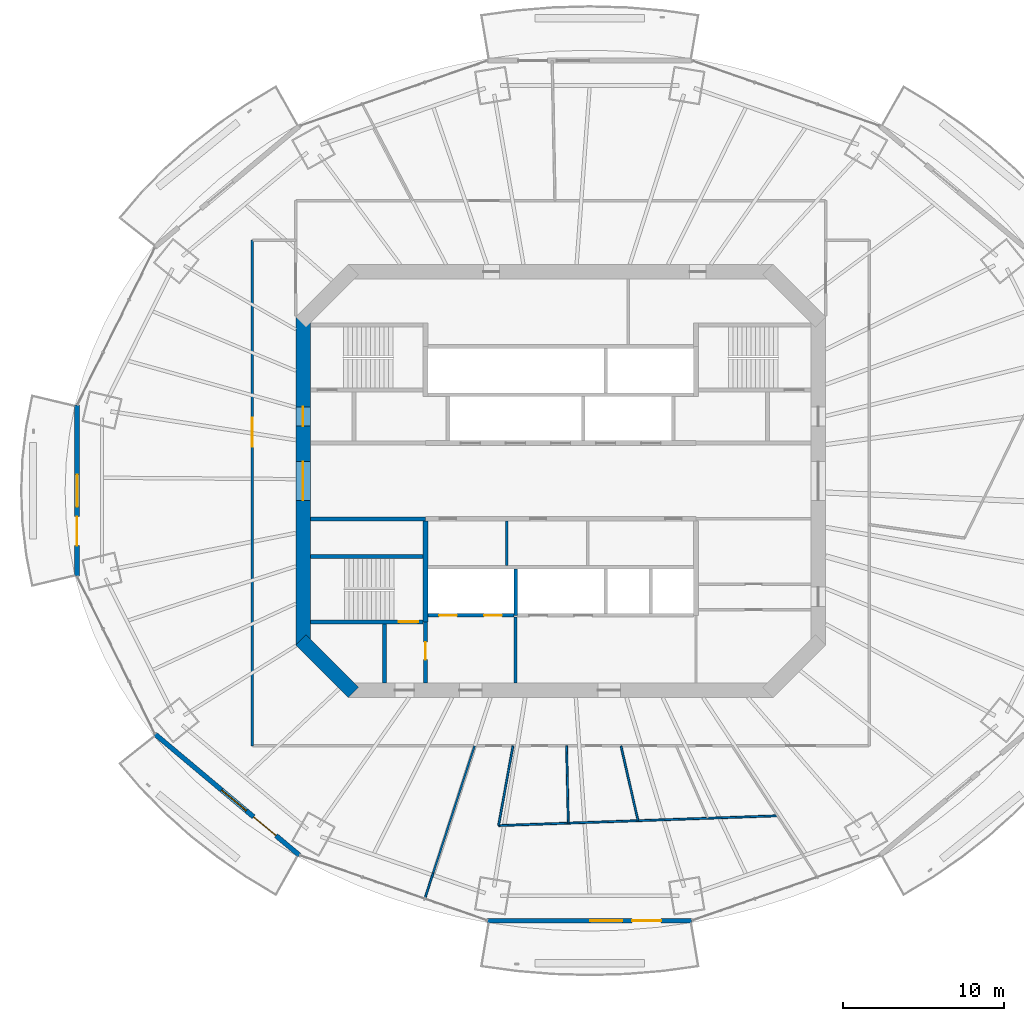
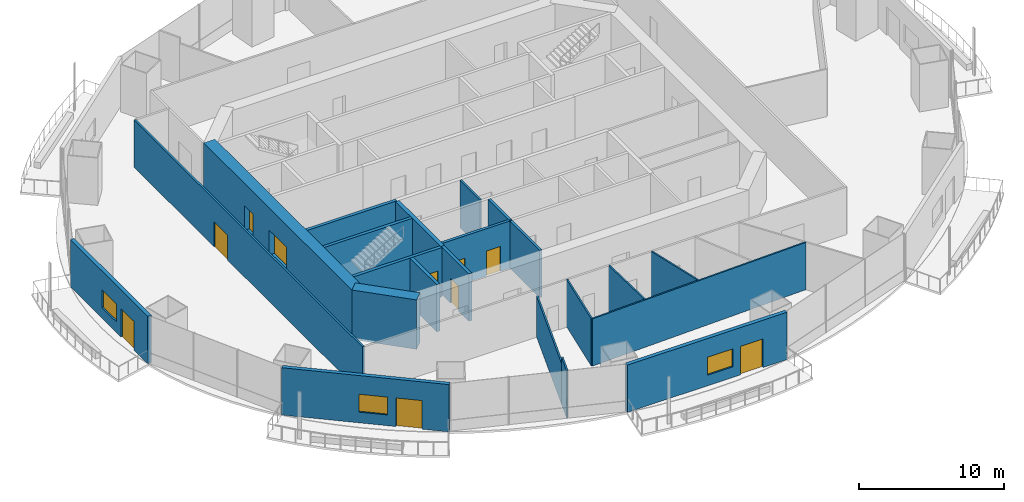
# One storey, part 11 of 20: 22 walls, 10 doors, 3 windows, 13 openings.
"""IFC4 building model written with IfcOpenShell, lengths in metres."""

from ifc_helpers import new_model, si_unit, direction, frame, frame_2d, origin, place, context, subcontext, project, spatial, rectangle, extrude, material, layer, layer_set, type_object, element, fill, save


model = new_model("IFC4")

# Units and contexts
model_context = context("Model", 3, precision=1e-05, world=origin(), true_north=direction((0.0, 1.0)))
body_context = subcontext(model_context, "Body", "Model", "MODEL_VIEW")
ifc_project = project(units=[si_unit("LENGTHUNIT", "METRE"), si_unit("AREAUNIT", "SQUARE_METRE"), si_unit("VOLUMEUNIT", "CUBIC_METRE"), si_unit("PLANEANGLEUNIT", "RADIAN"), si_unit("MASSUNIT", "GRAM", prefix="KILO")], contexts=[model_context])

# Site, building, storey
site_placement = place(None, origin())
site = spatial("IfcSite", under=ifc_project, at=site_placement, CompositionType="ELEMENT")
building_placement = place(site_placement, origin())
building = spatial("IfcBuilding", under=site, at=building_placement, Name="Marenthal Gate Tower", CompositionType="ELEMENT")
storey_placement = place(building_placement, frame((0.0, 0.0, 177.64990234375)))
storey = spatial("IfcBuildingStorey", under=building, at=storey_placement, Name="L38", CompositionType="ELEMENT", Elevation=177.64990234375)

# Wall, openings, doors
ifc_material_1 = material(Name="Concrete 60 MPa", Category="concrete")
ifc_layer_1 = layer(ifc_material_1, 0.89990234375)
ifc_layer_set_1 = layer_set([ifc_layer_1], Name="Core shear wall 900")
wall_type_1 = type_object("IfcWallType", Name="Core shear wall 900", PredefinedType="SHEAR", material=ifc_layer_set_1)
wall_1_placement = place(storey_placement, frame((-16.0, 10.186279296875, -0.179931640625), z_axis=(0.0, 0.0, 1.0), x_axis=(0.0, -1.0, 0.0)))
wall_1 = element("IfcWall", 1, at=wall_1_placement, inside=storey, type_object=wall_type_1, Name="Core wall 06", PredefinedType="SHEAR", context=body_context, shape_type="SweptSolid", body=[
    extrude(rectangle(XDim=20.37255859375, YDim=0.89990234375, at=frame_2d((10.186279296875, 0.0))), origin(), (0.0, 0.0, 1.0), 4.150146484375),
])
opening_1_placement = place(wall_1_placement, frame((8.986328125, 0.0, 0.179931640625)))
opening_1 = element("IfcOpeningElement", 2, at=opening_1_placement, cuts=wall_1, Name="Opening D003.01", PredefinedType="OPENING", context=body_context, shape_type="SweptSolid", body=[
    extrude(rectangle(XDim=2.39990234375, YDim=2.10009765625, at=frame_2d((1.199951171875, 1.050048828125))), frame((0.0, 0.4599609375, 0.0), z_axis=(0.0, -1.0, 0.0), x_axis=(1.0, 0.0, 0.0)), (0.0, 0.0, 1.0), 0.919921875),
])
opening_2_placement = place(wall_1_placement, frame((5.58642578125, 0.0, 0.179931640625)))
opening_2 = element("IfcOpeningElement", 3, at=opening_2_placement, cuts=wall_1, Name="Opening D001.04", PredefinedType="OPENING", context=body_context, shape_type="SweptSolid", body=[
    extrude(rectangle(XDim=1.199951171875, YDim=2.10009765625, at=frame_2d((0.60009765625, 1.050048828125))), frame((0.0, 0.4599609375, 0.0), z_axis=(0.0, -1.0, 0.0), x_axis=(1.0, 0.0, 0.0)), (0.0, 0.0, 1.0), 0.919921875),
])
ifc_material_2 = material(Name="Steel fire door", Category="steel")
door_type_1 = type_object("IfcDoorType", Name="Double fire door FD 45 2400 x 2100", OperationType="DOUBLE_DOOR_SINGLE_SWING", PredefinedType="DOOR", material=ifc_material_2)
door_1_placement = place(opening_1_placement, origin())
door_1 = element("IfcDoor", 4, at=door_1_placement, inside=storey, type_object=door_type_1, Name="Door D003.01", OperationType="DOUBLE_DOOR_SINGLE_SWING", OverallHeight=2.10009765625, OverallWidth=2.39990234375, PredefinedType="DOOR", context=body_context, shape_type="SweptSolid", body=[
    extrude(rectangle(XDim=2.39990234375, YDim=2.10009765625, at=frame_2d((1.199951171875, 1.050048828125))), frame((0.0, 0.02490234375, 0.0), z_axis=(0.0, -1.0, 0.0), x_axis=(1.0, 0.0, 0.0)), (0.0, 0.0, 1.0), 0.050048828125),
])
fill(opening_1, door_1)
ifc_material_3 = material(Name="Steel fire door", Category="steel")
door_type_2 = type_object("IfcDoorType", Name="Fire door FD 90 1200 x 2100", OperationType="NOTDEFINED", PredefinedType="DOOR", material=ifc_material_3)
door_2_placement = place(opening_2_placement, origin())
door_2 = element("IfcDoor", 5, at=door_2_placement, inside=storey, type_object=door_type_2, Name="Door D001.04", OperationType="SINGLE_SWING_RIGHT", OverallHeight=2.10009765625, OverallWidth=1.199951171875, PredefinedType="DOOR", context=body_context, shape_type="SweptSolid", body=[
    extrude(rectangle(XDim=1.199951171875, YDim=2.10009765625, at=frame_2d((0.60009765625, 1.050048828125))), frame((0.0, 0.02490234375, 0.0), z_axis=(0.0, -1.0, 0.0), x_axis=(1.0, 0.0, 0.0)), (0.0, 0.0, 1.0), 0.050048828125),
])
fill(opening_2, door_2)

# Walls
wall_2_placement = place(storey_placement, frame((-16.1318359375, -9.8681640625, -0.179931640625), z_axis=(0.0, 0.0, 1.0), x_axis=(0.707106781187, -0.707106781187, 0.0)))
element("IfcWall", 6, at=wall_2_placement, inside=storey, type_object=wall_type_1, Name="Core wall 07", PredefinedType="SHEAR", context=body_context, shape_type="SweptSolid", body=[
    extrude(rectangle(XDim=4.615478515625, YDim=0.89990234375, at=frame_2d((2.3076171875, 0.0))), origin(), (0.0, 0.0, 1.0), 4.150146484375),
])
ifc_material_4 = material(Name="Gypsum board on steel studs", Category="steel")
ifc_layer_2 = layer(ifc_material_4, 0.199951171875)
ifc_layer_set_2 = layer_set([ifc_layer_2], Name="Fire lobby wall 200")
wall_type_2 = type_object("IfcWallType", Name="Fire lobby wall 200", PredefinedType="PARTITIONING", material=ifc_layer_set_2)
wall_3_placement = place(storey_placement, frame((-2.800048828125, -12.550048828125, 0.0), z_axis=(0.0, 0.0, 1.0), x_axis=(0.0, 1.0, 0.0)))
element("IfcWall", 7, at=wall_3_placement, inside=storey, type_object=wall_type_2, Name="Fire wall 36", PredefinedType="PARTITIONING", context=body_context, shape_type="SweptSolid", body=[
    extrude(rectangle(XDim=4.090087890625, YDim=0.199951171875, at=frame_2d((2.044921875, 0.0))), origin(), (0.0, 0.0, 1.0), 3.97021484375),
])
ifc_material_5 = material(Name="Concrete 50 MPa", Category="concrete")
ifc_layer_3 = layer(ifc_material_5, 0.300048828125)
ifc_layer_set_3 = layer_set([ifc_layer_3], Name="Hoistway shear wall 300")
wall_type_3 = type_object("IfcWallType", Name="Hoistway shear wall 300", PredefinedType="SHEAR", material=ifc_layer_set_3)
wall_4_placement = place(storey_placement, frame((-8.39990234375, -8.75, -0.179931640625), z_axis=(0.0, 0.0, 1.0), x_axis=(0.0, 1.0, 0.0)))
element("IfcWall", 8, at=wall_4_placement, inside=storey, type_object=wall_type_3, Name="Hoistway wall 31", PredefinedType="SHEAR", context=body_context, shape_type="SweptSolid", body=[
    extrude(rectangle(XDim=6.25, YDim=0.300048828125, at=frame_2d((3.125, 0.0))), origin(), (0.0, 0.0, 1.0), 4.150146484375),
])

# Wall, openings, doors
ifc_material_6 = material(Name="Concrete 40 MPa", Category="concrete")
ifc_layer_4 = layer(ifc_material_6, 0.219970703125)
ifc_layer_set_4 = layer_set([ifc_layer_4], Name="Hoistway wall 220")
wall_type_4 = type_object("IfcWallType", Name="Hoistway wall 220", PredefinedType="STANDARD", material=ifc_layer_set_4)
wall_5_placement = place(storey_placement, frame((-8.25, -8.35009765625, 0.0), z_axis=(0.0, 0.0, 1.0), x_axis=(1.0, 0.0, 0.0)))
wall_5 = element("IfcWall", 9, at=wall_5_placement, inside=storey, type_object=wall_type_4, Name="Hoistway wall 10", PredefinedType="STANDARD", context=body_context, shape_type="SweptSolid", body=[
    extrude(rectangle(XDim=5.340087890625, YDim=0.219970703125, at=frame_2d((2.669921875, 0.0))), origin(), (0.0, 0.0, 1.0), 3.97021484375),
])
opening_3_placement = place(wall_5_placement, frame((0.699951171875, 0.0, 0.0)))
opening_3 = element("IfcOpeningElement", 10, at=opening_3_placement, cuts=wall_5, Name="Opening LD-LF1", PredefinedType="OPENING", context=body_context, shape_type="SweptSolid", body=[
    extrude(rectangle(XDim=1.10009765625, YDim=2.10009765625, at=frame_2d((0.550048828125, 1.050048828125))), frame((0.0, 0.1201171875, 0.0), z_axis=(0.0, -1.0, 0.0), x_axis=(1.0, 0.0, 0.0)), (0.0, 0.0, 1.0), 0.239990234375),
])
opening_4_placement = place(wall_5_placement, frame((3.5, 0.0, 0.0)))
opening_4 = element("IfcOpeningElement", 11, at=opening_4_placement, cuts=wall_5, Name="Opening LD-LF2", PredefinedType="OPENING", context=body_context, shape_type="SweptSolid", body=[
    extrude(rectangle(XDim=1.10009765625, YDim=2.10009765625, at=frame_2d((0.550048828125, 1.050048828125))), frame((0.0, 0.1201171875, 0.0), z_axis=(0.0, -1.0, 0.0), x_axis=(1.0, 0.0, 0.0)), (0.0, 0.0, 1.0), 0.239990234375),
])
ifc_material_7 = material(Name="Stainless steel sliding door", Category="steel")
door_type_3 = type_object("IfcDoorType", Name="Lift landing door FD 90 1100 x 2100", OperationType="DOUBLE_DOOR_SLIDING", PredefinedType="DOOR", material=ifc_material_7)
door_3_placement = place(opening_3_placement, origin())
door_3 = element("IfcDoor", 12, at=door_3_placement, inside=storey, type_object=door_type_3, Name="Lift landing door LF1", OperationType="DOUBLE_DOOR_SLIDING", OverallHeight=2.10009765625, OverallWidth=1.10009765625, PredefinedType="DOOR", context=body_context, shape_type="SweptSolid", body=[
    extrude(rectangle(XDim=1.10009765625, YDim=2.10009765625, at=frame_2d((0.550048828125, 1.050048828125))), frame((0.0, 0.02490234375, 0.0), z_axis=(0.0, -1.0, 0.0), x_axis=(1.0, 0.0, 0.0)), (0.0, 0.0, 1.0), 0.050048828125),
])
fill(opening_3, door_3)
door_4_placement = place(opening_4_placement, origin())
door_4 = element("IfcDoor", 13, at=door_4_placement, inside=storey, type_object=door_type_3, Name="Lift landing door LF2", OperationType="DOUBLE_DOOR_SLIDING", OverallHeight=2.10009765625, OverallWidth=1.10009765625, PredefinedType="DOOR", context=body_context, shape_type="SweptSolid", body=[
    extrude(rectangle(XDim=1.10009765625, YDim=2.10009765625, at=frame_2d((0.550048828125, 1.050048828125))), frame((0.0, 0.02490234375, 0.0), z_axis=(0.0, -1.0, 0.0), x_axis=(1.0, 0.0, 0.0)), (0.0, 0.0, 1.0), 0.050048828125),
])
fill(opening_4, door_4)

# Walls
wall_6_placement = place(storey_placement, frame((-2.800048828125, -8.35009765625, 0.0), z_axis=(0.0, 0.0, 1.0), x_axis=(0.0, 1.0, 0.0)))
element("IfcWall", 14, at=wall_6_placement, inside=storey, type_object=wall_type_4, Name="Hoistway wall 37", PredefinedType="STANDARD", context=body_context, shape_type="SweptSolid", body=[
    extrude(rectangle(XDim=2.89013671875, YDim=0.219970703125, at=frame_2d((1.445068359375, 0.0))), origin(), (0.0, 0.0, 1.0), 3.97021484375),
])
ifc_material_8 = material(Name="Gypsum board on steel studs", Category="steel")
ifc_layer_5 = layer(ifc_material_8, 0.1201171875)
ifc_layer_set_5 = layer_set([ifc_layer_5], Name="Partition 120")
wall_type_5 = type_object("IfcWallType", Name="Partition 120", PredefinedType="PARTITIONING", material=ifc_layer_set_5)
wall_7_placement = place(storey_placement, frame((-5.352294921875, -16.449951171875, 0.0), z_axis=(0.0, 0.0, 1.0), x_axis=(-0.309412606948, -0.950927882997, 0.0)))
element("IfcWall", 15, at=wall_7_placement, inside=storey, type_object=wall_type_5, Name="Partition wall 55", PredefinedType="PARTITIONING", context=body_context, shape_type="SweptSolid", body=[
    extrude(rectangle(XDim=8.3173828125, YDim=0.1201171875, at=frame_2d((4.15869140625, 0.0))), origin(), (0.0, 0.0, 1.0), 3.43408203125),
])
wall_8_placement = place(storey_placement, frame((-7.92578125, -24.359130859375, 0.0), z_axis=(0.0, 0.0, 1.0), x_axis=(-0.30927811653, -0.950971632929, 0.0)))
element("IfcWall", 16, at=wall_8_placement, inside=storey, type_object=wall_type_5, Name="Partition wall 71", PredefinedType="PARTITIONING", context=body_context, shape_type="SweptSolid", body=[
    extrude(rectangle(XDim=1.667236328125, YDim=0.1201171875, at=frame_2d((0.83349609375, 0.0))), origin(), (0.0, 0.0, 1.0), 3.97021484375),
])
wall_9_placement = place(storey_placement, frame((-3.859619140625, -21.3984375, 0.0), z_axis=(0.0, 0.0, 1.0), x_axis=(0.999384014625, 0.035094035277, 0.0)))
element("IfcWall", 17, at=wall_9_placement, inside=storey, type_object=wall_type_5, Name="Partition wall 56", PredefinedType="PARTITIONING", context=body_context, shape_type="SweptSolid", body=[
    extrude(rectangle(XDim=17.329345703125, YDim=0.1201171875, at=frame_2d((8.66455078125, 0.0))), origin(), (0.0, 0.0, 1.0), 3.97021484375),
])
wall_10_placement = place(storey_placement, frame((-3.859619140625, -21.3984375, 0.0), z_axis=(0.0, 0.0, 1.0), x_axis=(0.177509467823, 0.98411909281, 0.0)))
element("IfcWall", 18, at=wall_10_placement, inside=storey, type_object=wall_type_5, Name="Partition wall 57", PredefinedType="PARTITIONING", context=body_context, shape_type="SweptSolid", body=[
    extrude(rectangle(XDim=5.0283203125, YDim=0.1201171875, at=frame_2d((2.51416015625, 0.0))), origin(), (0.0, 0.0, 1.0), 3.97021484375),
])
wall_11_placement = place(storey_placement, frame((0.469970703125, -21.24658203125, 0.0), z_axis=(0.0, 0.0, 1.0), x_axis=(-0.022084498944, 0.999756107711, 0.0)))
element("IfcWall", 19, at=wall_11_placement, inside=storey, type_object=wall_type_5, Name="Partition wall 59", PredefinedType="PARTITIONING", context=body_context, shape_type="SweptSolid", body=[
    extrude(rectangle(XDim=4.7978515625, YDim=0.1201171875, at=frame_2d((2.39892578125, 0.0))), origin(), (0.0, 0.0, 1.0), 3.97021484375),
])
wall_12_placement = place(storey_placement, frame((4.7998046875, -21.094482421875, 0.0), z_axis=(0.0, 0.0, 1.0), x_axis=(-0.221882505737, 0.975073409364, 0.0)))
element("IfcWall", 20, at=wall_12_placement, inside=storey, type_object=wall_type_5, Name="Partition wall 60", PredefinedType="PARTITIONING", context=body_context, shape_type="SweptSolid", body=[
    extrude(rectangle(XDim=4.76318359375, YDim=0.1201171875, at=frame_2d((2.381591796875, 0.0))), origin(), (0.0, 0.0, 1.0), 3.97021484375),
])
ifc_material_9 = material(Name="Gypsum board on steel studs", Category="steel")
ifc_layer_6 = layer(ifc_material_9, 0.14990234375)
ifc_layer_set_6 = layer_set([ifc_layer_6], Name="Partition 150")
wall_type_6 = type_object("IfcWallType", Name="Partition 150", PredefinedType="PARTITIONING", material=ifc_layer_set_6)
wall_13_placement = place(storey_placement, frame((-3.360107421875, -5.239990234375, 0.0), z_axis=(0.0, 0.0, 1.0), x_axis=(0.0, 1.0, 0.0)))
element("IfcWall", 21, at=wall_13_placement, inside=storey, type_object=wall_type_6, Name="Partition wall 35", PredefinedType="PARTITIONING", context=body_context, shape_type="SweptSolid", body=[
    extrude(rectangle(XDim=2.739990234375, YDim=0.14990234375, at=frame_2d((1.3701171875, 0.0))), origin(), (0.0, 0.0, 1.0), 3.97021484375),
])

# Wall, opening, door
wall_14_placement = place(storey_placement, frame((-19.14990234375, -16.449951171875, 0.0), z_axis=(0.0, 0.0, 1.0), x_axis=(0.0, 1.0, 0.0)))
wall_14 = element("IfcWall", 22, at=wall_14_placement, inside=storey, type_object=wall_type_6, Name="Partition wall 50", PredefinedType="PARTITIONING", context=body_context, shape_type="SweptSolid", body=[
    extrude(rectangle(XDim=31.40478515625, YDim=0.14990234375, at=frame_2d((15.702392578125, 0.0))), origin(), (0.0, 0.0, 1.0), 3.97021484375),
])
opening_5_placement = place(wall_14_placement, frame((18.58203125, 0.0, 0.0)))
opening_5 = element("IfcOpeningElement", 23, at=opening_5_placement, cuts=wall_14, Name="Opening D014.02", PredefinedType="OPENING", context=body_context, shape_type="SweptSolid", body=[
    extrude(rectangle(XDim=1.800048828125, YDim=2.10009765625, at=frame_2d((0.89990234375, 1.050048828125))), frame((0.0, 0.0849609375, 0.0), z_axis=(0.0, -1.0, 0.0), x_axis=(1.0, 0.0, 0.0)), (0.0, 0.0, 1.0), 0.169921875),
])
ifc_material_10 = material(Name="Timber door", Category="wood")
door_type_4 = type_object("IfcDoorType", Name="Double door 1800 x 2100", OperationType="DOUBLE_DOOR_SINGLE_SWING", PredefinedType="DOOR", material=ifc_material_10)
door_5_placement = place(opening_5_placement, origin())
door_5 = element("IfcDoor", 24, at=door_5_placement, inside=storey, type_object=door_type_4, Name="Door D014.02", OperationType="DOUBLE_DOOR_SINGLE_SWING", OverallHeight=2.10009765625, OverallWidth=1.800048828125, PredefinedType="DOOR", context=body_context, shape_type="SweptSolid", body=[
    extrude(rectangle(XDim=1.800048828125, YDim=2.10009765625, at=frame_2d((0.89990234375, 1.050048828125))), frame((0.0, 0.02490234375, 0.0), z_axis=(0.0, -1.0, 0.0), x_axis=(1.0, 0.0, 0.0)), (0.0, 0.0, 1.0), 0.050048828125),
])
fill(opening_5, door_5)

# Walls
ifc_material_11 = material(Name="Concrete 40 MPa", Category="concrete")
ifc_layer_7 = layer(ifc_material_11, 0.25)
ifc_layer_set_7 = layer_set([ifc_layer_7], Name="Stair enclosure wall 250")
wall_type_7 = type_object("IfcWallType", Name="Stair enclosure wall 250", PredefinedType="STANDARD", material=ifc_layer_set_7)
wall_15_placement = place(storey_placement, frame((-15.550048828125, -2.35009765625, 0.0), z_axis=(0.0, 0.0, 1.0), x_axis=(1.0, 0.0, 0.0)))
element("IfcWall", 25, at=wall_15_placement, inside=storey, type_object=wall_type_7, Name="Stair wall 16", PredefinedType="STANDARD", context=body_context, shape_type="SweptSolid", body=[
    extrude(rectangle(XDim=7.150146484375, YDim=0.25, at=frame_2d((3.5751953125, 0.0))), origin(), (0.0, 0.0, 1.0), 3.97021484375),
])
wall_16_placement = place(storey_placement, frame((-10.949951171875, -12.550048828125, 0.0), z_axis=(0.0, 0.0, 1.0), x_axis=(0.0, 1.0, 0.0)))
element("IfcWall", 26, at=wall_16_placement, inside=storey, type_object=wall_type_7, Name="Stair wall 29", PredefinedType="STANDARD", context=body_context, shape_type="SweptSolid", body=[
    extrude(rectangle(XDim=3.675048828125, YDim=0.25, at=frame_2d((1.83740234375, 0.0))), origin(), (0.0, 0.0, 1.0), 3.97021484375),
])

# Wall, opening, door
wall_17_placement = place(storey_placement, frame((-8.39990234375, -12.550048828125, 0.0), z_axis=(0.0, 0.0, 1.0), x_axis=(0.0, 1.0, 0.0)))
wall_17 = element("IfcWall", 27, at=wall_17_placement, inside=storey, type_object=wall_type_7, Name="Stair wall 30", PredefinedType="STANDARD", context=body_context, shape_type="SweptSolid", body=[
    extrude(rectangle(XDim=3.800048828125, YDim=0.25, at=frame_2d((1.89990234375, 0.0))), origin(), (0.0, 0.0, 1.0), 3.97021484375),
])
opening_6_placement = place(wall_17_placement, frame((1.449951171875, 0.0, 0.0)))
opening_6 = element("IfcOpeningElement", 28, at=opening_6_placement, cuts=wall_17, Name="Opening D002.01", PredefinedType="OPENING", context=body_context, shape_type="SweptSolid", body=[
    extrude(rectangle(XDim=1.10009765625, YDim=2.10009765625, at=frame_2d((0.550048828125, 1.050048828125))), frame((0.0, 0.135009765625, 0.0), z_axis=(0.0, -1.0, 0.0), x_axis=(1.0, 0.0, 0.0)), (0.0, 0.0, 1.0), 0.27001953125),
])
ifc_material_12 = material(Name="Steel fire door", Category="steel")
door_type_5 = type_object("IfcDoorType", Name="Fire door FD 90 1100 x 2100", OperationType="NOTDEFINED", PredefinedType="DOOR", material=ifc_material_12)
door_6_placement = place(opening_6_placement, origin())
door_6 = element("IfcDoor", 29, at=door_6_placement, inside=storey, type_object=door_type_5, Name="Door D002.01", OperationType="SINGLE_SWING_RIGHT", OverallHeight=2.10009765625, OverallWidth=1.10009765625, PredefinedType="DOOR", context=body_context, shape_type="SweptSolid", body=[
    extrude(rectangle(XDim=1.10009765625, YDim=2.10009765625, at=frame_2d((0.550048828125, 1.050048828125))), frame((0.0, 0.02490234375, 0.0), z_axis=(0.0, -1.0, 0.0), x_axis=(1.0, 0.0, 0.0)), (0.0, 0.0, 1.0), 0.050048828125),
])
fill(opening_6, door_6)

ifc_material_13 = material(Name="Concrete 50 MPa", Category="concrete")
ifc_layer_8 = layer(ifc_material_13, 0.25)
ifc_layer_set_8 = layer_set([ifc_layer_8], Name="Stair shear wall 250")
wall_type_8 = type_object("IfcWallType", Name="Stair shear wall 250", PredefinedType="SHEAR", material=ifc_layer_set_8)
wall_18_placement = place(storey_placement, frame((-15.550048828125, -8.75, -0.179931640625), z_axis=(0.0, 0.0, 1.0), x_axis=(1.0, 0.0, 0.0)))
wall_18 = element("IfcWall", 30, at=wall_18_placement, inside=storey, type_object=wall_type_8, Name="Stair wall 09", PredefinedType="SHEAR", context=body_context, shape_type="SweptSolid", body=[
    extrude(rectangle(XDim=7.0, YDim=0.25, at=frame_2d((3.5, 0.0))), origin(), (0.0, 0.0, 1.0), 4.150146484375),
])
opening_7_placement = place(wall_18_placement, frame((5.5, 0.0, 0.179931640625)))
opening_7 = element("IfcOpeningElement", 31, at=opening_7_placement, cuts=wall_18, Name="Opening D001.03", PredefinedType="OPENING", context=body_context, shape_type="SweptSolid", body=[
    extrude(rectangle(XDim=1.199951171875, YDim=2.10009765625, at=frame_2d((0.60009765625, 1.050048828125))), frame((0.0, 0.135009765625, 0.0), z_axis=(0.0, -1.0, 0.0), x_axis=(1.0, 0.0, 0.0)), (0.0, 0.0, 1.0), 0.27001953125),
])
door_7_placement = place(opening_7_placement, origin())
door_7 = element("IfcDoor", 32, at=door_7_placement, inside=storey, type_object=door_type_2, Name="Door D001.03", OperationType="SINGLE_SWING_RIGHT", OverallHeight=2.10009765625, OverallWidth=1.199951171875, PredefinedType="DOOR", context=body_context, shape_type="SweptSolid", body=[
    extrude(rectangle(XDim=1.199951171875, YDim=2.10009765625, at=frame_2d((0.60009765625, 1.050048828125))), frame((0.0, 0.02490234375, 0.0), z_axis=(0.0, -1.0, 0.0), x_axis=(1.0, 0.0, 0.0)), (0.0, 0.0, 1.0), 0.050048828125),
])
fill(opening_7, door_7)

# Wall
wall_19_placement = place(storey_placement, frame((-15.550048828125, -4.699951171875, -0.179931640625), z_axis=(0.0, 0.0, 1.0), x_axis=(1.0, 0.0, 0.0)))
element("IfcWall", 33, at=wall_19_placement, inside=storey, type_object=wall_type_8, Name="Stair wall 15", PredefinedType="SHEAR", context=body_context, shape_type="SweptSolid", body=[
    extrude(rectangle(XDim=7.0, YDim=0.25, at=frame_2d((3.5, 0.0))), origin(), (0.0, 0.0, 1.0), 4.150146484375),
])

# Wall, openings, door, window
ifc_material_14 = material(Name="Terracotta cladding on insulated concrete-block backing", Category="masonry")
ifc_layer_9 = layer(ifc_material_14, 0.300048828125)
ifc_layer_set_9 = layer_set([ifc_layer_9], Name="Terracotta facade wall 300")
wall_type_9 = type_object("IfcWallType", Name="Terracotta facade wall 300", PredefinedType="SOLIDWALL", material=ifc_layer_set_9)
wall_20_placement = place(storey_placement, frame((-30.033203125, 4.71142578125, 0.0), z_axis=(0.0, 0.0, 1.0), x_axis=(0.0, -1.0, 0.0)))
wall_20 = element("IfcWall", 34, at=wall_20_placement, inside=storey, type_object=wall_type_9, Name="Terracotta facade wall L38 bay 8", PredefinedType="SOLIDWALL", context=body_context, shape_type="SweptSolid", body=[
    extrude(rectangle(XDim=10.623046875, YDim=0.300048828125, at=frame_2d((5.3115234375, 0.0))), origin(), (0.0, 0.0, 1.0), 3.97021484375),
])
opening_8_placement = place(wall_20_placement, frame((6.923095703125, 0.0, 0.0)))
opening_8 = element("IfcOpeningElement", 35, at=opening_8_placement, cuts=wall_20, Name="Opening BD-L38-08", PredefinedType="OPENING", context=body_context, shape_type="SweptSolid", body=[
    extrude(rectangle(XDim=1.800048828125, YDim=2.39990234375, at=frame_2d((0.89990234375, 1.199951171875))), frame((0.0, 0.16015625, 0.0), z_axis=(0.0, -1.0, 0.0), x_axis=(1.0, 0.0, 0.0)), (0.0, 0.0, 1.0), 0.320068359375),
])
opening_9_placement = place(wall_20_placement, frame((4.322998046875, 0.0, 0.89990234375)))
opening_9 = element("IfcOpeningElement", 36, at=opening_9_placement, cuts=wall_20, Name="Opening WN2-L38-08", PredefinedType="OPENING", context=body_context, shape_type="SweptSolid", body=[
    extrude(rectangle(XDim=2.0, YDim=1.5, at=frame_2d((1.0, 0.75))), frame((0.0, 0.16015625, 0.0), z_axis=(0.0, -1.0, 0.0), x_axis=(1.0, 0.0, 0.0)), (0.0, 0.0, 1.0), 0.320068359375),
])
ifc_material_15 = material(Name="Aluminium and glass", Category="aluminium")
door_type_6 = type_object("IfcDoorType", Name="Balcony door 1800x2400", OperationType="DOUBLE_DOOR_SINGLE_SWING", PredefinedType="DOOR", material=ifc_material_15)
door_8_placement = place(opening_8_placement, origin())
door_8 = element("IfcDoor", 37, at=door_8_placement, inside=storey, type_object=door_type_6, Name="Balcony door L38 bay 8", OperationType="SINGLE_SWING_LEFT", OverallHeight=2.39990234375, OverallWidth=1.800048828125, PredefinedType="DOOR", context=body_context, shape_type="SweptSolid", body=[
    extrude(rectangle(XDim=1.800048828125, YDim=2.39990234375, at=frame_2d((0.89990234375, 1.199951171875))), frame((0.0, 0.02490234375, 0.0), z_axis=(0.0, -1.0, 0.0), x_axis=(1.0, 0.0, 0.0)), (0.0, 0.0, 1.0), 0.050048828125),
])
fill(opening_8, door_8)
ifc_material_16 = material(Name="Aluminium and glass", Category="aluminium")
window_type = type_object("IfcWindowType", Name="Window 2000x1500", PartitioningType="DOUBLE_PANEL_VERTICAL", PredefinedType="WINDOW", material=ifc_material_16)
window_1_placement = place(opening_9_placement, origin())
window_1 = element("IfcWindow", 38, at=window_1_placement, inside=storey, type_object=window_type, Name="Window L38 bay 8", OverallHeight=1.5, OverallWidth=2.0, PartitioningType="SINGLE_PANEL", PredefinedType="WINDOW", context=body_context, shape_type="SweptSolid", body=[
    extrude(rectangle(XDim=2.0, YDim=1.5, at=frame_2d((1.0, 0.75))), frame((0.0, 0.030029296875, 0.0), z_axis=(0.0, -1.0, 0.0), x_axis=(1.0, 0.0, 0.0)), (0.0, 0.0, 1.0), 0.06005859375),
])
fill(opening_9, window_1)

wall_21_placement = place(storey_placement, frame((-25.18701171875, -15.72607421875, 0.0), z_axis=(0.0, 0.0, 1.0), x_axis=(0.766150735347, -0.642660914268, 0.0)))
wall_21 = element("IfcWall", 39, at=wall_21_placement, inside=storey, type_object=wall_type_9, Name="Terracotta facade wall L38 bay 10", PredefinedType="SOLIDWALL", context=body_context, shape_type="SweptSolid", body=[
    extrude(rectangle(XDim=11.68798828125, YDim=0.300048828125, at=frame_2d((5.843994140625, 0.0))), origin(), (0.0, 0.0, 1.0), 3.97021484375),
])
opening_10_placement = place(wall_21_placement, frame((7.98828125, 0.0, 0.0)))
opening_10 = element("IfcOpeningElement", 40, at=opening_10_placement, cuts=wall_21, Name="Opening BD-L38-10", PredefinedType="OPENING", context=body_context, shape_type="SweptSolid", body=[
    extrude(rectangle(XDim=1.800048828125, YDim=2.39990234375, at=frame_2d((0.89990234375, 1.199951171875))), frame((0.0, 0.16015625, 0.0), z_axis=(0.0, -1.0, 0.0), x_axis=(1.0, 0.0, 0.0)), (0.0, 0.0, 1.0), 0.320068359375),
])
opening_11_placement = place(wall_21_placement, frame((5.38818359375, 0.0, 0.89990234375)))
opening_11 = element("IfcOpeningElement", 41, at=opening_11_placement, cuts=wall_21, Name="Opening WN2-L38-10", PredefinedType="OPENING", context=body_context, shape_type="SweptSolid", body=[
    extrude(rectangle(XDim=2.0, YDim=1.5, at=frame_2d((1.0, 0.75))), frame((0.0, 0.16015625, 0.0), z_axis=(0.0, -1.0, 0.0), x_axis=(1.0, 0.0, 0.0)), (0.0, 0.0, 1.0), 0.320068359375),
])
door_9_placement = place(opening_10_placement, origin())
door_9 = element("IfcDoor", 42, at=door_9_placement, inside=storey, type_object=door_type_6, Name="Balcony door L38 bay 10", OperationType="SINGLE_SWING_LEFT", OverallHeight=2.39990234375, OverallWidth=1.800048828125, PredefinedType="DOOR", context=body_context, shape_type="SweptSolid", body=[
    extrude(rectangle(XDim=1.800048828125, YDim=2.39990234375, at=frame_2d((0.89990234375, 1.199951171875))), frame((0.0, 0.02490234375, 0.0), z_axis=(0.0, -1.0, 0.0), x_axis=(1.0, 0.0, 0.0)), (0.0, 0.0, 1.0), 0.050048828125),
])
fill(opening_10, door_9)
window_2_placement = place(opening_11_placement, origin())
window_2 = element("IfcWindow", 43, at=window_2_placement, inside=storey, type_object=window_type, Name="Window L38 bay 10", OverallHeight=1.5, OverallWidth=2.0, PartitioningType="SINGLE_PANEL", PredefinedType="WINDOW", context=body_context, shape_type="SweptSolid", body=[
    extrude(rectangle(XDim=2.0, YDim=1.5, at=frame_2d((1.0, 0.75))), frame((0.0, 0.030029296875, 0.0), z_axis=(0.0, -1.0, 0.0), x_axis=(1.0, 0.0, 0.0)), (0.0, 0.0, 1.0), 0.06005859375),
])
fill(opening_11, window_2)

wall_22_placement = place(storey_placement, frame((-4.531982421875, -27.302978515625, 0.0), z_axis=(0.0, 0.0, 1.0), x_axis=(1.0, 0.0, 0.0)))
wall_22 = element("IfcWall", 44, at=wall_22_placement, inside=storey, type_object=wall_type_9, Name="Terracotta facade wall L38 bay 12", PredefinedType="SOLIDWALL", context=body_context, shape_type="SweptSolid", body=[
    extrude(rectangle(XDim=12.6640625, YDim=0.300048828125, at=frame_2d((6.33203125, 0.0))), origin(), (0.0, 0.0, 1.0), 3.97021484375),
])
opening_12_placement = place(wall_22_placement, frame((8.964111328125, 0.0, 0.0)))
opening_12 = element("IfcOpeningElement", 45, at=opening_12_placement, cuts=wall_22, Name="Opening BD-L38-12", PredefinedType="OPENING", context=body_context, shape_type="SweptSolid", body=[
    extrude(rectangle(XDim=1.800048828125, YDim=2.39990234375, at=frame_2d((0.89990234375, 1.199951171875))), frame((0.0, 0.16015625, 0.0), z_axis=(0.0, -1.0, 0.0), x_axis=(1.0, 0.0, 0.0)), (0.0, 0.0, 1.0), 0.320068359375),
])
opening_13_placement = place(wall_22_placement, frame((6.364013671875, 0.0, 0.89990234375)))
opening_13 = element("IfcOpeningElement", 46, at=opening_13_placement, cuts=wall_22, Name="Opening WN2-L38-12", PredefinedType="OPENING", context=body_context, shape_type="SweptSolid", body=[
    extrude(rectangle(XDim=2.0, YDim=1.5, at=frame_2d((1.0, 0.75))), frame((0.0, 0.16015625, 0.0), z_axis=(0.0, -1.0, 0.0), x_axis=(1.0, 0.0, 0.0)), (0.0, 0.0, 1.0), 0.320068359375),
])
door_10_placement = place(opening_12_placement, origin())
door_10 = element("IfcDoor", 47, at=door_10_placement, inside=storey, type_object=door_type_6, Name="Balcony door L38 bay 12", OperationType="SINGLE_SWING_LEFT", OverallHeight=2.39990234375, OverallWidth=1.800048828125, PredefinedType="DOOR", context=body_context, shape_type="SweptSolid", body=[
    extrude(rectangle(XDim=1.800048828125, YDim=2.39990234375, at=frame_2d((0.89990234375, 1.199951171875))), frame((0.0, 0.02490234375, 0.0), z_axis=(0.0, -1.0, 0.0), x_axis=(1.0, 0.0, 0.0)), (0.0, 0.0, 1.0), 0.050048828125),
])
fill(opening_12, door_10)
window_3_placement = place(opening_13_placement, origin())
window_3 = element("IfcWindow", 48, at=window_3_placement, inside=storey, type_object=window_type, Name="Window L38 bay 12", OverallHeight=1.5, OverallWidth=2.0, PartitioningType="SINGLE_PANEL", PredefinedType="WINDOW", context=body_context, shape_type="SweptSolid", body=[
    extrude(rectangle(XDim=2.0, YDim=1.5, at=frame_2d((1.0, 0.75))), frame((0.0, 0.030029296875, 0.0), z_axis=(0.0, -1.0, 0.0), x_axis=(1.0, 0.0, 0.0)), (0.0, 0.0, 1.0), 0.06005859375),
])
fill(opening_13, window_3)

save(model, "model.ifc")
